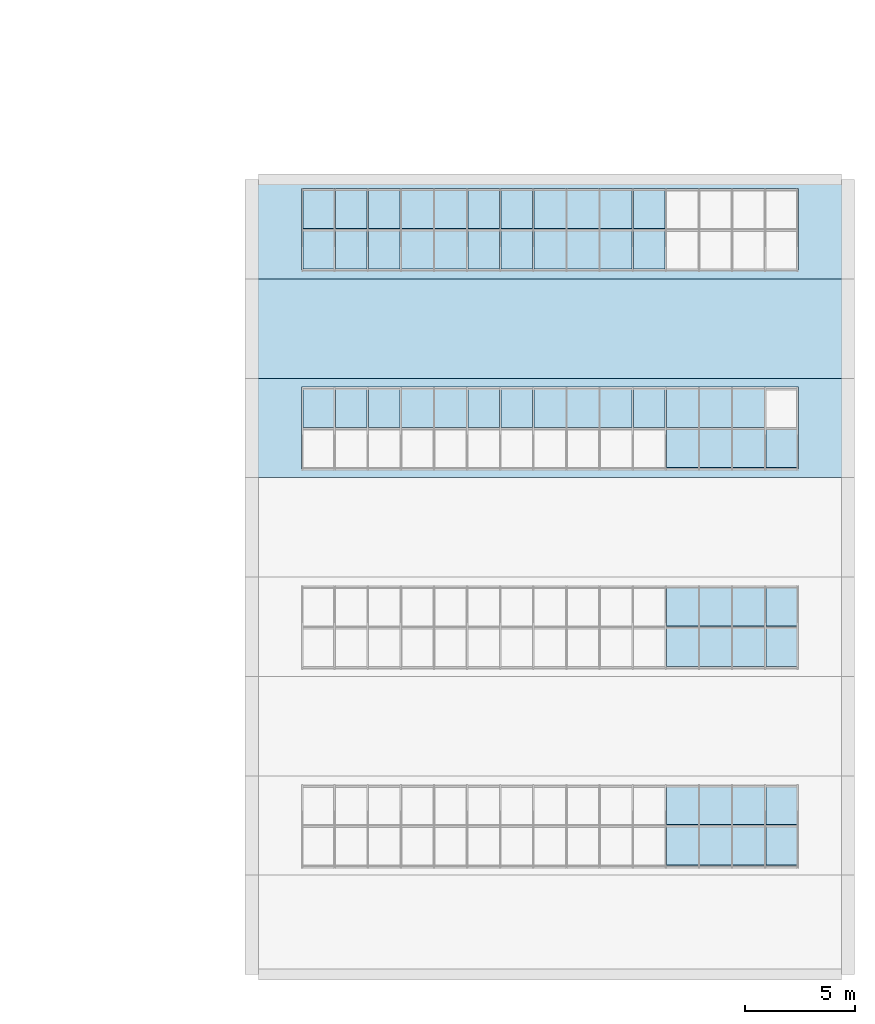
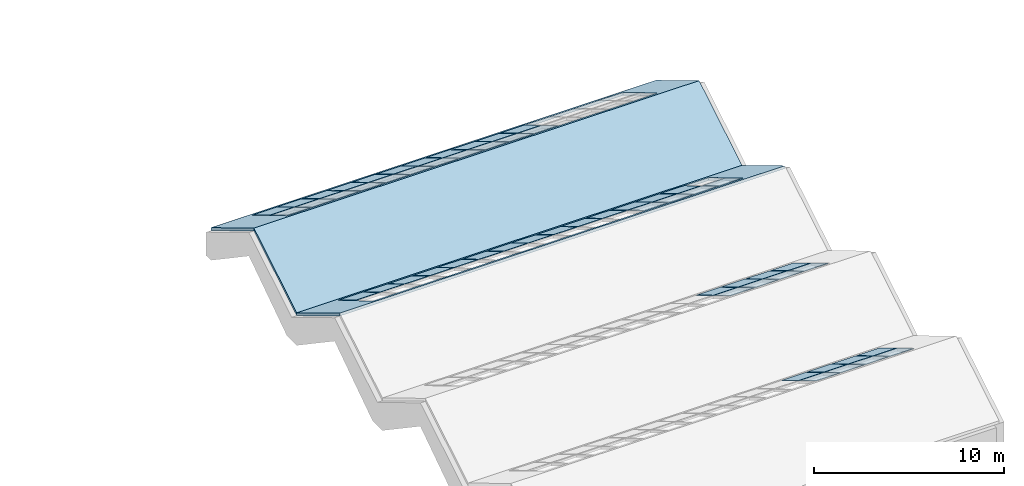
# One storey, part 13 of 29: 56 plates, 3 slabs, 4 elements without a shape of their own.
"""IFC4 building model written with IfcOpenShell, lengths in metres."""

from ifc_helpers import new_model, si_unit, direction, frame, origin, place, context, subcontext, project, spatial, polyline, outline, extrude, material, layer, layer_set, type_object, element, aggregate, save


model = new_model("IFC4")

# Units and contexts
model_context = context("Model", 3, precision=1e-05, world=origin(), true_north=direction((0.0, 1.0)))
body_context = subcontext(model_context, "Body", "Model", "MODEL_VIEW")
ifc_project = project(units=[si_unit("LENGTHUNIT", "METRE"), si_unit("AREAUNIT", "SQUARE_METRE"), si_unit("VOLUMEUNIT", "CUBIC_METRE"), si_unit("PLANEANGLEUNIT", "RADIAN"), si_unit("MASSUNIT", "GRAM", prefix="KILO")], contexts=[model_context])

# Site, building, storey
site_placement = place(None, origin())
site = spatial("IfcSite", under=ifc_project, at=site_placement, CompositionType="ELEMENT")
building_placement = place(site_placement, origin())
building = spatial("IfcBuilding", under=site, at=building_placement, Name="Merrow Basin Faculty of Sciences", CompositionType="ELEMENT")
storey_placement = place(building_placement, frame((0.0, 0.0, 22.5)))
storey = spatial("IfcBuildingStorey", under=building, at=storey_placement, Name="L05", CompositionType="ELEMENT", Elevation=22.5)

# Slabs
ifc_material_1 = material(Name="Concrete C50/60", Category="concrete")
ifc_layer_1 = layer(ifc_material_1, 0.159912109375)
ifc_layer_set_1 = layer_set([ifc_layer_1], Name="Folded plate 160 Concrete C50/60")
slab_type = type_object("IfcSlabType", Name="Folded plate 160 Concrete C50/60", PredefinedType="ROOF", material=ifc_layer_set_1)
slab_1_placement = place(storey_placement, frame((45.0, 22.5, 2.699951171875), z_axis=(0.0, 0.514488913912, 0.857497030584), x_axis=(1.0, 0.0, 0.0)))
element("IfcSlab", 1, at=slab_1_placement, inside=storey, type_object=slab_type, Name="Folded plate 6", PredefinedType="ROOF", context=body_context, shape_type="SweptSolid", body=[
    extrude(outline(polyline([(0.0, 0.0), (27.0, 0.0), (27.0, 5.247831583664741), (0.0, 5.247831583664741), (0.0, 0.0)]), holes=[polyline([(2.25, 0.466390178603584), (24.75, 0.466390178603584), (24.75, 4.781441405061157), (2.25, 4.781441405061157), (2.25, 0.466390178603584)])]), origin(), (0.0, 0.514488913912, -0.857497030584), 0.1865234375),
])
slab_2_placement = place(storey_placement, frame((45.0, 27.0, 0.0), z_axis=(0.0, -0.514488913912, 0.857497030584), x_axis=(1.0, 0.0, 0.0)))
element("IfcSlab", 2, at=slab_2_placement, inside=storey, type_object=slab_type, Name="Folded plate 7", PredefinedType="ROOF", context=body_context, shape_type="SweptSolid", body=[
    extrude(outline(polyline([(0.0, 0.0), (27.0, 0.0), (27.0, 5.247831583664741), (0.0, 5.247831583664741), (0.0, 0.0)])), origin(), (0.0, -0.514488913912, -0.857497030584), 0.1865234375),
])
slab_3_placement = place(storey_placement, frame((45.0, 31.5, 2.699951171875), z_axis=(0.0, 0.514488913912, 0.857497030584), x_axis=(1.0, 0.0, 0.0)))
element("IfcSlab", 3, at=slab_3_placement, inside=storey, type_object=slab_type, Name="Folded plate 8", PredefinedType="ROOF", context=body_context, shape_type="SweptSolid", body=[
    extrude(outline(polyline([(0.0, 0.0), (27.0, 0.0), (27.0, 5.247831583664741), (0.0, 5.247831583664741), (0.0, 0.0)]), holes=[polyline([(2.25, 0.466390178603584), (24.75, 0.466390178603584), (24.75, 4.781441405061157), (2.25, 4.781441405061157), (2.25, 0.466390178603584)])]), origin(), (0.0, 0.514488913912, -0.857497030584), 0.1865234375),
])

# Curtain wall, plates
ifc_material_2 = material(Name="Aluminium alloy 6063", Category="aluminium")
curtain_wall_type = type_object("IfcCurtainWallType", Name="Inclined curtain wall 160", PredefinedType="NOTDEFINED", material=ifc_material_2)
curtain_wall_1_placement = place(storey_placement, origin())
curtain_wall_1 = element("IfcCurtainWall", 4, at=curtain_wall_1_placement, inside=storey, type_object=curtain_wall_type, Name="North-light glazing 1", PredefinedType="NOTDEFINED")
ifc_material_3 = material(Name="Laminated safety glass", Category="glass")
ifc_layer_2 = layer(ifc_material_3, 0.033935546875)
ifc_layer_set_2 = layer_set([ifc_layer_2], Name="Laminated north-light panel 34")
plate_type = type_object("IfcPlateType", Name="Laminated north-light panel 34", PredefinedType="CURTAIN_PANEL", material=ifc_layer_set_2)
plate_1_placement = place(storey_placement, frame((63.780029296875, 4.9599609375, 2.444091796875), z_axis=(0.0, 0.514652011412, 0.857399152758), x_axis=(1.0, 0.0, 0.0)))
plate_1 = element("IfcPlate", 5, at=plate_1_placement, type_object=plate_type, Name="CW7 panel 12.1", PredefinedType="CURTAIN_PANEL", context=body_context, shape_type="SweptSolid", body=[
    extrude(outline(polyline([(0.0, 0.0), (1.43994140625, 0.0), (1.43994140625, 2.0678224524099513), (0.0, 2.0678224524099513), (0.0, 0.0)])), origin(), (0.0, 0.0, -1.0), 0.033935546875),
])
plate_2_placement = place(storey_placement, frame((63.780029296875, 6.783935546875, 1.34912109375), z_axis=(0.0, 0.514652011412, 0.857399152758), x_axis=(1.0, 0.0, 0.0)))
plate_2 = element("IfcPlate", 6, at=plate_2_placement, type_object=plate_type, Name="CW7 panel 12.2", PredefinedType="CURTAIN_PANEL", context=body_context, shape_type="SweptSolid", body=[
    extrude(outline(polyline([(0.0, 0.0), (1.43994140625, 0.0), (1.43994140625, 2.0678224524099513), (0.0, 2.0678224524099513), (0.0, 0.0)])), origin(), (0.0, 0.0, -1.0), 0.033935546875),
])
plate_3_placement = place(storey_placement, frame((65.280029296875, 4.9599609375, 2.444091796875), z_axis=(0.0, 0.514652011412, 0.857399152758), x_axis=(1.0, 0.0, 0.0)))
plate_3 = element("IfcPlate", 7, at=plate_3_placement, type_object=plate_type, Name="CW7 panel 13.1", PredefinedType="CURTAIN_PANEL", context=body_context, shape_type="SweptSolid", body=[
    extrude(outline(polyline([(0.0, 0.0), (1.43994140625, 0.0), (1.43994140625, 2.0678224524099513), (0.0, 2.0678224524099513), (0.0, 0.0)])), origin(), (0.0, 0.0, -1.0), 0.033935546875),
])
plate_4_placement = place(storey_placement, frame((65.280029296875, 6.783935546875, 1.34912109375), z_axis=(0.0, 0.514652011412, 0.857399152758), x_axis=(1.0, 0.0, 0.0)))
plate_4 = element("IfcPlate", 8, at=plate_4_placement, type_object=plate_type, Name="CW7 panel 13.2", PredefinedType="CURTAIN_PANEL", context=body_context, shape_type="SweptSolid", body=[
    extrude(outline(polyline([(0.0, 0.0), (1.43994140625, 0.0), (1.43994140625, 2.0678224524099513), (0.0, 2.0678224524099513), (0.0, 0.0)])), origin(), (0.0, 0.0, -1.0), 0.033935546875),
])
plate_5_placement = place(storey_placement, frame((66.780029296875, 4.9599609375, 2.444091796875), z_axis=(0.0, 0.514652011412, 0.857399152758), x_axis=(1.0, 0.0, 0.0)))
plate_5 = element("IfcPlate", 9, at=plate_5_placement, type_object=plate_type, Name="CW7 panel 14.1", PredefinedType="CURTAIN_PANEL", context=body_context, shape_type="SweptSolid", body=[
    extrude(outline(polyline([(0.0, 0.0), (1.43994140625, 0.0), (1.43994140625, 2.0678224524099513), (0.0, 2.0678224524099513), (0.0, 0.0)])), origin(), (0.0, 0.0, -1.0), 0.033935546875),
])
plate_6_placement = place(storey_placement, frame((66.780029296875, 6.783935546875, 1.34912109375), z_axis=(0.0, 0.514652011412, 0.857399152758), x_axis=(1.0, 0.0, 0.0)))
plate_6 = element("IfcPlate", 10, at=plate_6_placement, type_object=plate_type, Name="CW7 panel 14.2", PredefinedType="CURTAIN_PANEL", context=body_context, shape_type="SweptSolid", body=[
    extrude(outline(polyline([(0.0, 0.0), (1.43994140625, 0.0), (1.43994140625, 2.0678224524099513), (0.0, 2.0678224524099513), (0.0, 0.0)])), origin(), (0.0, 0.0, -1.0), 0.033935546875),
])
plate_7_placement = place(storey_placement, frame((68.280029296875, 4.9599609375, 2.444091796875), z_axis=(0.0, 0.514652011412, 0.857399152758), x_axis=(1.0, 0.0, 0.0)))
plate_7 = element("IfcPlate", 11, at=plate_7_placement, type_object=plate_type, Name="CW7 panel 15.1", PredefinedType="CURTAIN_PANEL", context=body_context, shape_type="SweptSolid", body=[
    extrude(outline(polyline([(0.0, 0.0), (1.409912109375, 0.0), (1.409912109375, 2.0678224524099513), (0.0, 2.0678224524099513), (0.0, 0.0)])), origin(), (0.0, 0.0, -1.0), 0.033935546875),
])
plate_8_placement = place(storey_placement, frame((68.280029296875, 6.783935546875, 1.34912109375), z_axis=(0.0, 0.514652011412, 0.857399152758), x_axis=(1.0, 0.0, 0.0)))
plate_8 = element("IfcPlate", 12, at=plate_8_placement, type_object=plate_type, Name="CW7 panel 15.2", PredefinedType="CURTAIN_PANEL", context=body_context, shape_type="SweptSolid", body=[
    extrude(outline(polyline([(0.0, 0.0), (1.409912109375, 0.0), (1.409912109375, 2.0678224524099513), (0.0, 2.0678224524099513), (0.0, 0.0)])), origin(), (0.0, 0.0, -1.0), 0.033935546875),
])
aggregate(curtain_wall_1, [plate_1, plate_2, plate_3, plate_4, plate_5, plate_6, plate_7, plate_8])

curtain_wall_2_placement = place(storey_placement, origin())
curtain_wall_2 = element("IfcCurtainWall", 13, at=curtain_wall_2_placement, inside=storey, type_object=curtain_wall_type, Name="North-light glazing 3", PredefinedType="NOTDEFINED")
plate_9_placement = place(storey_placement, frame((63.780029296875, 13.9599609375, 2.444091796875), z_axis=(0.0, 0.514652011412, 0.857399152758), x_axis=(1.0, 0.0, 0.0)))
plate_9 = element("IfcPlate", 14, at=plate_9_placement, type_object=plate_type, Name="CW7 panel 12.1", PredefinedType="CURTAIN_PANEL", context=body_context, shape_type="SweptSolid", body=[
    extrude(outline(polyline([(0.0, 0.0), (1.43994140625, 0.0), (1.43994140625, 2.0678224524099513), (0.0, 2.0678224524099513), (0.0, 0.0)])), origin(), (0.0, 0.0, -1.0), 0.033935546875),
])
plate_10_placement = place(storey_placement, frame((63.780029296875, 15.783935546875, 1.34912109375), z_axis=(0.0, 0.514652011412, 0.857399152758), x_axis=(1.0, 0.0, 0.0)))
plate_10 = element("IfcPlate", 15, at=plate_10_placement, type_object=plate_type, Name="CW7 panel 12.2", PredefinedType="CURTAIN_PANEL", context=body_context, shape_type="SweptSolid", body=[
    extrude(outline(polyline([(0.0, 0.0), (1.43994140625, 0.0), (1.43994140625, 2.0678224524099513), (0.0, 2.0678224524099513), (0.0, 0.0)])), origin(), (0.0, 0.0, -1.0), 0.033935546875),
])
plate_11_placement = place(storey_placement, frame((65.280029296875, 13.9599609375, 2.444091796875), z_axis=(0.0, 0.514652011412, 0.857399152758), x_axis=(1.0, 0.0, 0.0)))
plate_11 = element("IfcPlate", 16, at=plate_11_placement, type_object=plate_type, Name="CW7 panel 13.1", PredefinedType="CURTAIN_PANEL", context=body_context, shape_type="SweptSolid", body=[
    extrude(outline(polyline([(0.0, 0.0), (1.43994140625, 0.0), (1.43994140625, 2.0678224524099513), (0.0, 2.0678224524099513), (0.0, 0.0)])), origin(), (0.0, 0.0, -1.0), 0.033935546875),
])
plate_12_placement = place(storey_placement, frame((65.280029296875, 15.783935546875, 1.34912109375), z_axis=(0.0, 0.514652011412, 0.857399152758), x_axis=(1.0, 0.0, 0.0)))
plate_12 = element("IfcPlate", 17, at=plate_12_placement, type_object=plate_type, Name="CW7 panel 13.2", PredefinedType="CURTAIN_PANEL", context=body_context, shape_type="SweptSolid", body=[
    extrude(outline(polyline([(0.0, 0.0), (1.43994140625, 0.0), (1.43994140625, 2.0678224524099513), (0.0, 2.0678224524099513), (0.0, 0.0)])), origin(), (0.0, 0.0, -1.0), 0.033935546875),
])
plate_13_placement = place(storey_placement, frame((66.780029296875, 13.9599609375, 2.444091796875), z_axis=(0.0, 0.514652011412, 0.857399152758), x_axis=(1.0, 0.0, 0.0)))
plate_13 = element("IfcPlate", 18, at=plate_13_placement, type_object=plate_type, Name="CW7 panel 14.1", PredefinedType="CURTAIN_PANEL", context=body_context, shape_type="SweptSolid", body=[
    extrude(outline(polyline([(0.0, 0.0), (1.43994140625, 0.0), (1.43994140625, 2.0678224524099513), (0.0, 2.0678224524099513), (0.0, 0.0)])), origin(), (0.0, 0.0, -1.0), 0.033935546875),
])
plate_14_placement = place(storey_placement, frame((66.780029296875, 15.783935546875, 1.34912109375), z_axis=(0.0, 0.514652011412, 0.857399152758), x_axis=(1.0, 0.0, 0.0)))
plate_14 = element("IfcPlate", 19, at=plate_14_placement, type_object=plate_type, Name="CW7 panel 14.2", PredefinedType="CURTAIN_PANEL", context=body_context, shape_type="SweptSolid", body=[
    extrude(outline(polyline([(0.0, 0.0), (1.43994140625, 0.0), (1.43994140625, 2.0678224524099513), (0.0, 2.0678224524099513), (0.0, 0.0)])), origin(), (0.0, 0.0, -1.0), 0.033935546875),
])
plate_15_placement = place(storey_placement, frame((68.280029296875, 13.9599609375, 2.444091796875), z_axis=(0.0, 0.514652011412, 0.857399152758), x_axis=(1.0, 0.0, 0.0)))
plate_15 = element("IfcPlate", 20, at=plate_15_placement, type_object=plate_type, Name="CW7 panel 15.1", PredefinedType="CURTAIN_PANEL", context=body_context, shape_type="SweptSolid", body=[
    extrude(outline(polyline([(0.0, 0.0), (1.409912109375, 0.0), (1.409912109375, 2.0678224524099513), (0.0, 2.0678224524099513), (0.0, 0.0)])), origin(), (0.0, 0.0, -1.0), 0.033935546875),
])
plate_16_placement = place(storey_placement, frame((68.280029296875, 15.783935546875, 1.34912109375), z_axis=(0.0, 0.514652011412, 0.857399152758), x_axis=(1.0, 0.0, 0.0)))
plate_16 = element("IfcPlate", 21, at=plate_16_placement, type_object=plate_type, Name="CW7 panel 15.2", PredefinedType="CURTAIN_PANEL", context=body_context, shape_type="SweptSolid", body=[
    extrude(outline(polyline([(0.0, 0.0), (1.409912109375, 0.0), (1.409912109375, 2.0678224524099513), (0.0, 2.0678224524099513), (0.0, 0.0)])), origin(), (0.0, 0.0, -1.0), 0.033935546875),
])
aggregate(curtain_wall_2, [plate_9, plate_10, plate_11, plate_12, plate_13, plate_14, plate_15, plate_16])

curtain_wall_3_placement = place(storey_placement, origin())
curtain_wall_3 = element("IfcCurtainWall", 22, at=curtain_wall_3_placement, inside=storey, type_object=curtain_wall_type, Name="North-light glazing 5", PredefinedType="NOTDEFINED")
plate_17_placement = place(storey_placement, frame((47.31005859375, 24.783935546875, 1.34912109375), z_axis=(0.0, 0.514652011412, 0.857399152758), x_axis=(1.0, 0.0, 0.0)))
plate_17 = element("IfcPlate", 23, at=plate_17_placement, type_object=plate_type, Name="CW7 panel 1.2", PredefinedType="CURTAIN_PANEL", context=body_context, shape_type="SweptSolid", body=[
    extrude(outline(polyline([(0.0, 0.0), (1.409912109375, 0.0), (1.409912109375, 2.0678224524099513), (0.0, 2.0678224524099513), (0.0, 0.0)])), origin(), (0.0, 0.0, -1.0), 0.033935546875),
])
plate_18_placement = place(storey_placement, frame((48.780029296875, 24.783935546875, 1.34912109375), z_axis=(0.0, 0.514652011412, 0.857399152758), x_axis=(1.0, 0.0, 0.0)))
plate_18 = element("IfcPlate", 24, at=plate_18_placement, type_object=plate_type, Name="CW7 panel 2.2", PredefinedType="CURTAIN_PANEL", context=body_context, shape_type="SweptSolid", body=[
    extrude(outline(polyline([(0.0, 0.0), (1.43994140625, 0.0), (1.43994140625, 2.0678224524099513), (0.0, 2.0678224524099513), (0.0, 0.0)])), origin(), (0.0, 0.0, -1.0), 0.033935546875),
])
plate_19_placement = place(storey_placement, frame((50.280029296875, 24.783935546875, 1.34912109375), z_axis=(0.0, 0.514652011412, 0.857399152758), x_axis=(1.0, 0.0, 0.0)))
plate_19 = element("IfcPlate", 25, at=plate_19_placement, type_object=plate_type, Name="CW7 panel 3.2", PredefinedType="CURTAIN_PANEL", context=body_context, shape_type="SweptSolid", body=[
    extrude(outline(polyline([(0.0, 0.0), (1.43994140625, 0.0), (1.43994140625, 2.0678224524099513), (0.0, 2.0678224524099513), (0.0, 0.0)])), origin(), (0.0, 0.0, -1.0), 0.033935546875),
])
plate_20_placement = place(storey_placement, frame((51.780029296875, 24.783935546875, 1.34912109375), z_axis=(0.0, 0.514652011412, 0.857399152758), x_axis=(1.0, 0.0, 0.0)))
plate_20 = element("IfcPlate", 26, at=plate_20_placement, type_object=plate_type, Name="CW7 panel 4.2", PredefinedType="CURTAIN_PANEL", context=body_context, shape_type="SweptSolid", body=[
    extrude(outline(polyline([(0.0, 0.0), (1.43994140625, 0.0), (1.43994140625, 2.0678224524099513), (0.0, 2.0678224524099513), (0.0, 0.0)])), origin(), (0.0, 0.0, -1.0), 0.033935546875),
])
plate_21_placement = place(storey_placement, frame((53.280029296875, 24.783935546875, 1.34912109375), z_axis=(0.0, 0.514652011412, 0.857399152758), x_axis=(1.0, 0.0, 0.0)))
plate_21 = element("IfcPlate", 27, at=plate_21_placement, type_object=plate_type, Name="CW7 panel 5.2", PredefinedType="CURTAIN_PANEL", context=body_context, shape_type="SweptSolid", body=[
    extrude(outline(polyline([(0.0, 0.0), (1.43994140625, 0.0), (1.43994140625, 2.0678224524099513), (0.0, 2.0678224524099513), (0.0, 0.0)])), origin(), (0.0, 0.0, -1.0), 0.033935546875),
])
plate_22_placement = place(storey_placement, frame((54.780029296875, 24.783935546875, 1.34912109375), z_axis=(0.0, 0.514652011412, 0.857399152758), x_axis=(1.0, 0.0, 0.0)))
plate_22 = element("IfcPlate", 28, at=plate_22_placement, type_object=plate_type, Name="CW7 panel 6.2", PredefinedType="CURTAIN_PANEL", context=body_context, shape_type="SweptSolid", body=[
    extrude(outline(polyline([(0.0, 0.0), (1.43994140625, 0.0), (1.43994140625, 2.0678224524099513), (0.0, 2.0678224524099513), (0.0, 0.0)])), origin(), (0.0, 0.0, -1.0), 0.033935546875),
])
plate_23_placement = place(storey_placement, frame((56.280029296875, 24.783935546875, 1.34912109375), z_axis=(0.0, 0.514652011412, 0.857399152758), x_axis=(1.0, 0.0, 0.0)))
plate_23 = element("IfcPlate", 29, at=plate_23_placement, type_object=plate_type, Name="CW7 panel 7.2", PredefinedType="CURTAIN_PANEL", context=body_context, shape_type="SweptSolid", body=[
    extrude(outline(polyline([(0.0, 0.0), (1.43994140625, 0.0), (1.43994140625, 2.0678224524099513), (0.0, 2.0678224524099513), (0.0, 0.0)])), origin(), (0.0, 0.0, -1.0), 0.033935546875),
])
plate_24_placement = place(storey_placement, frame((57.780029296875, 24.783935546875, 1.34912109375), z_axis=(0.0, 0.514652011412, 0.857399152758), x_axis=(1.0, 0.0, 0.0)))
plate_24 = element("IfcPlate", 30, at=plate_24_placement, type_object=plate_type, Name="CW7 panel 8.2", PredefinedType="CURTAIN_PANEL", context=body_context, shape_type="SweptSolid", body=[
    extrude(outline(polyline([(0.0, 0.0), (1.43994140625, 0.0), (1.43994140625, 2.0678224524099513), (0.0, 2.0678224524099513), (0.0, 0.0)])), origin(), (0.0, 0.0, -1.0), 0.033935546875),
])
plate_25_placement = place(storey_placement, frame((59.280029296875, 24.783935546875, 1.34912109375), z_axis=(0.0, 0.514652011412, 0.857399152758), x_axis=(1.0, 0.0, 0.0)))
plate_25 = element("IfcPlate", 31, at=plate_25_placement, type_object=plate_type, Name="CW7 panel 9.2", PredefinedType="CURTAIN_PANEL", context=body_context, shape_type="SweptSolid", body=[
    extrude(outline(polyline([(0.0, 0.0), (1.43994140625, 0.0), (1.43994140625, 2.0678224524099513), (0.0, 2.0678224524099513), (0.0, 0.0)])), origin(), (0.0, 0.0, -1.0), 0.033935546875),
])
plate_26_placement = place(storey_placement, frame((60.780029296875, 24.783935546875, 1.34912109375), z_axis=(0.0, 0.514652011412, 0.857399152758), x_axis=(1.0, 0.0, 0.0)))
plate_26 = element("IfcPlate", 32, at=plate_26_placement, type_object=plate_type, Name="CW7 panel 10.2", PredefinedType="CURTAIN_PANEL", context=body_context, shape_type="SweptSolid", body=[
    extrude(outline(polyline([(0.0, 0.0), (1.43994140625, 0.0), (1.43994140625, 2.0678224524099513), (0.0, 2.0678224524099513), (0.0, 0.0)])), origin(), (0.0, 0.0, -1.0), 0.033935546875),
])
plate_27_placement = place(storey_placement, frame((62.280029296875, 24.783935546875, 1.34912109375), z_axis=(0.0, 0.514652011412, 0.857399152758), x_axis=(1.0, 0.0, 0.0)))
plate_27 = element("IfcPlate", 33, at=plate_27_placement, type_object=plate_type, Name="CW7 panel 11.2", PredefinedType="CURTAIN_PANEL", context=body_context, shape_type="SweptSolid", body=[
    extrude(outline(polyline([(0.0, 0.0), (1.43994140625, 0.0), (1.43994140625, 2.0678224524099513), (0.0, 2.0678224524099513), (0.0, 0.0)])), origin(), (0.0, 0.0, -1.0), 0.033935546875),
])
plate_28_placement = place(storey_placement, frame((63.780029296875, 22.9599609375, 2.444091796875), z_axis=(0.0, 0.514652011412, 0.857399152758), x_axis=(1.0, 0.0, 0.0)))
plate_28 = element("IfcPlate", 34, at=plate_28_placement, type_object=plate_type, Name="CW7 panel 12.1", PredefinedType="CURTAIN_PANEL", context=body_context, shape_type="SweptSolid", body=[
    extrude(outline(polyline([(0.0, 0.0), (1.43994140625, 0.0), (1.43994140625, 2.0678224524099513), (0.0, 2.0678224524099513), (0.0, 0.0)])), origin(), (0.0, 0.0, -1.0), 0.033935546875),
])
plate_29_placement = place(storey_placement, frame((63.780029296875, 24.783935546875, 1.34912109375), z_axis=(0.0, 0.514652011412, 0.857399152758), x_axis=(1.0, 0.0, 0.0)))
plate_29 = element("IfcPlate", 35, at=plate_29_placement, type_object=plate_type, Name="CW7 panel 12.2", PredefinedType="CURTAIN_PANEL", context=body_context, shape_type="SweptSolid", body=[
    extrude(outline(polyline([(0.0, 0.0), (1.43994140625, 0.0), (1.43994140625, 2.0678224524099513), (0.0, 2.0678224524099513), (0.0, 0.0)])), origin(), (0.0, 0.0, -1.0), 0.033935546875),
])
plate_30_placement = place(storey_placement, frame((65.280029296875, 22.9599609375, 2.444091796875), z_axis=(0.0, 0.514652011412, 0.857399152758), x_axis=(1.0, 0.0, 0.0)))
plate_30 = element("IfcPlate", 36, at=plate_30_placement, type_object=plate_type, Name="CW7 panel 13.1", PredefinedType="CURTAIN_PANEL", context=body_context, shape_type="SweptSolid", body=[
    extrude(outline(polyline([(0.0, 0.0), (1.43994140625, 0.0), (1.43994140625, 2.0678224524099513), (0.0, 2.0678224524099513), (0.0, 0.0)])), origin(), (0.0, 0.0, -1.0), 0.033935546875),
])
plate_31_placement = place(storey_placement, frame((65.280029296875, 24.783935546875, 1.34912109375), z_axis=(0.0, 0.514652011412, 0.857399152758), x_axis=(1.0, 0.0, 0.0)))
plate_31 = element("IfcPlate", 37, at=plate_31_placement, type_object=plate_type, Name="CW7 panel 13.2", PredefinedType="CURTAIN_PANEL", context=body_context, shape_type="SweptSolid", body=[
    extrude(outline(polyline([(0.0, 0.0), (1.43994140625, 0.0), (1.43994140625, 2.0678224524099513), (0.0, 2.0678224524099513), (0.0, 0.0)])), origin(), (0.0, 0.0, -1.0), 0.033935546875),
])
plate_32_placement = place(storey_placement, frame((66.780029296875, 22.9599609375, 2.444091796875), z_axis=(0.0, 0.514652011412, 0.857399152758), x_axis=(1.0, 0.0, 0.0)))
plate_32 = element("IfcPlate", 38, at=plate_32_placement, type_object=plate_type, Name="CW7 panel 14.1", PredefinedType="CURTAIN_PANEL", context=body_context, shape_type="SweptSolid", body=[
    extrude(outline(polyline([(0.0, 0.0), (1.43994140625, 0.0), (1.43994140625, 2.0678224524099513), (0.0, 2.0678224524099513), (0.0, 0.0)])), origin(), (0.0, 0.0, -1.0), 0.033935546875),
])
plate_33_placement = place(storey_placement, frame((66.780029296875, 24.783935546875, 1.34912109375), z_axis=(0.0, 0.514652011412, 0.857399152758), x_axis=(1.0, 0.0, 0.0)))
plate_33 = element("IfcPlate", 39, at=plate_33_placement, type_object=plate_type, Name="CW7 panel 14.2", PredefinedType="CURTAIN_PANEL", context=body_context, shape_type="SweptSolid", body=[
    extrude(outline(polyline([(0.0, 0.0), (1.43994140625, 0.0), (1.43994140625, 2.0678224524099513), (0.0, 2.0678224524099513), (0.0, 0.0)])), origin(), (0.0, 0.0, -1.0), 0.033935546875),
])
plate_34_placement = place(storey_placement, frame((68.280029296875, 22.9599609375, 2.444091796875), z_axis=(0.0, 0.514652011412, 0.857399152758), x_axis=(1.0, 0.0, 0.0)))
plate_34 = element("IfcPlate", 40, at=plate_34_placement, type_object=plate_type, Name="CW7 panel 15.1", PredefinedType="CURTAIN_PANEL", context=body_context, shape_type="SweptSolid", body=[
    extrude(outline(polyline([(0.0, 0.0), (1.409912109375, 0.0), (1.409912109375, 2.0678224524099513), (0.0, 2.0678224524099513), (0.0, 0.0)])), origin(), (0.0, 0.0, -1.0), 0.033935546875),
])
aggregate(curtain_wall_3, [plate_17, plate_18, plate_19, plate_20, plate_21, plate_22, plate_23, plate_24, plate_25, plate_26, plate_27, plate_28, plate_29, plate_30, plate_31, plate_32, plate_33, plate_34])

curtain_wall_4_placement = place(storey_placement, origin())
curtain_wall_4 = element("IfcCurtainWall", 41, at=curtain_wall_4_placement, inside=storey, type_object=curtain_wall_type, Name="North-light glazing 7", PredefinedType="NOTDEFINED")
plate_35_placement = place(storey_placement, frame((47.31005859375, 31.9599609375, 2.444091796875), z_axis=(0.0, 0.514652011412, 0.857399152758), x_axis=(1.0, 0.0, 0.0)))
plate_35 = element("IfcPlate", 42, at=plate_35_placement, type_object=plate_type, Name="CW7 panel 1.1", PredefinedType="CURTAIN_PANEL", context=body_context, shape_type="SweptSolid", body=[
    extrude(outline(polyline([(0.0, 0.0), (1.409912109375, 0.0), (1.409912109375, 2.0678224524099513), (0.0, 2.0678224524099513), (0.0, 0.0)])), origin(), (0.0, 0.0, -1.0), 0.033935546875),
])
plate_36_placement = place(storey_placement, frame((47.31005859375, 33.783935546875, 1.34912109375), z_axis=(0.0, 0.514652011412, 0.857399152758), x_axis=(1.0, 0.0, 0.0)))
plate_36 = element("IfcPlate", 43, at=plate_36_placement, type_object=plate_type, Name="CW7 panel 1.2", PredefinedType="CURTAIN_PANEL", context=body_context, shape_type="SweptSolid", body=[
    extrude(outline(polyline([(0.0, 0.0), (1.409912109375, 0.0), (1.409912109375, 2.0678224524099513), (0.0, 2.0678224524099513), (0.0, 0.0)])), origin(), (0.0, 0.0, -1.0), 0.033935546875),
])
plate_37_placement = place(storey_placement, frame((48.780029296875, 31.9599609375, 2.444091796875), z_axis=(0.0, 0.514652011412, 0.857399152758), x_axis=(1.0, 0.0, 0.0)))
plate_37 = element("IfcPlate", 44, at=plate_37_placement, type_object=plate_type, Name="CW7 panel 2.1", PredefinedType="CURTAIN_PANEL", context=body_context, shape_type="SweptSolid", body=[
    extrude(outline(polyline([(0.0, 0.0), (1.43994140625, 0.0), (1.43994140625, 2.0678224524099513), (0.0, 2.0678224524099513), (0.0, 0.0)])), origin(), (0.0, 0.0, -1.0), 0.033935546875),
])
plate_38_placement = place(storey_placement, frame((48.780029296875, 33.783935546875, 1.34912109375), z_axis=(0.0, 0.514652011412, 0.857399152758), x_axis=(1.0, 0.0, 0.0)))
plate_38 = element("IfcPlate", 45, at=plate_38_placement, type_object=plate_type, Name="CW7 panel 2.2", PredefinedType="CURTAIN_PANEL", context=body_context, shape_type="SweptSolid", body=[
    extrude(outline(polyline([(0.0, 0.0), (1.43994140625, 0.0), (1.43994140625, 2.0678224524099513), (0.0, 2.0678224524099513), (0.0, 0.0)])), origin(), (0.0, 0.0, -1.0), 0.033935546875),
])
plate_39_placement = place(storey_placement, frame((50.280029296875, 31.9599609375, 2.444091796875), z_axis=(0.0, 0.514652011412, 0.857399152758), x_axis=(1.0, 0.0, 0.0)))
plate_39 = element("IfcPlate", 46, at=plate_39_placement, type_object=plate_type, Name="CW7 panel 3.1", PredefinedType="CURTAIN_PANEL", context=body_context, shape_type="SweptSolid", body=[
    extrude(outline(polyline([(0.0, 0.0), (1.43994140625, 0.0), (1.43994140625, 2.0678224524099513), (0.0, 2.0678224524099513), (0.0, 0.0)])), origin(), (0.0, 0.0, -1.0), 0.033935546875),
])
plate_40_placement = place(storey_placement, frame((50.280029296875, 33.783935546875, 1.34912109375), z_axis=(0.0, 0.514652011412, 0.857399152758), x_axis=(1.0, 0.0, 0.0)))
plate_40 = element("IfcPlate", 47, at=plate_40_placement, type_object=plate_type, Name="CW7 panel 3.2", PredefinedType="CURTAIN_PANEL", context=body_context, shape_type="SweptSolid", body=[
    extrude(outline(polyline([(0.0, 0.0), (1.43994140625, 0.0), (1.43994140625, 2.0678224524099513), (0.0, 2.0678224524099513), (0.0, 0.0)])), origin(), (0.0, 0.0, -1.0), 0.033935546875),
])
plate_41_placement = place(storey_placement, frame((51.780029296875, 31.9599609375, 2.444091796875), z_axis=(0.0, 0.514652011412, 0.857399152758), x_axis=(1.0, 0.0, 0.0)))
plate_41 = element("IfcPlate", 48, at=plate_41_placement, type_object=plate_type, Name="CW7 panel 4.1", PredefinedType="CURTAIN_PANEL", context=body_context, shape_type="SweptSolid", body=[
    extrude(outline(polyline([(0.0, 0.0), (1.43994140625, 0.0), (1.43994140625, 2.0678224524099513), (0.0, 2.0678224524099513), (0.0, 0.0)])), origin(), (0.0, 0.0, -1.0), 0.033935546875),
])
plate_42_placement = place(storey_placement, frame((51.780029296875, 33.783935546875, 1.34912109375), z_axis=(0.0, 0.514652011412, 0.857399152758), x_axis=(1.0, 0.0, 0.0)))
plate_42 = element("IfcPlate", 49, at=plate_42_placement, type_object=plate_type, Name="CW7 panel 4.2", PredefinedType="CURTAIN_PANEL", context=body_context, shape_type="SweptSolid", body=[
    extrude(outline(polyline([(0.0, 0.0), (1.43994140625, 0.0), (1.43994140625, 2.0678224524099513), (0.0, 2.0678224524099513), (0.0, 0.0)])), origin(), (0.0, 0.0, -1.0), 0.033935546875),
])
plate_43_placement = place(storey_placement, frame((53.280029296875, 31.9599609375, 2.444091796875), z_axis=(0.0, 0.514652011412, 0.857399152758), x_axis=(1.0, 0.0, 0.0)))
plate_43 = element("IfcPlate", 50, at=plate_43_placement, type_object=plate_type, Name="CW7 panel 5.1", PredefinedType="CURTAIN_PANEL", context=body_context, shape_type="SweptSolid", body=[
    extrude(outline(polyline([(0.0, 0.0), (1.43994140625, 0.0), (1.43994140625, 2.0678224524099513), (0.0, 2.0678224524099513), (0.0, 0.0)])), origin(), (0.0, 0.0, -1.0), 0.033935546875),
])
plate_44_placement = place(storey_placement, frame((53.280029296875, 33.783935546875, 1.34912109375), z_axis=(0.0, 0.514652011412, 0.857399152758), x_axis=(1.0, 0.0, 0.0)))
plate_44 = element("IfcPlate", 51, at=plate_44_placement, type_object=plate_type, Name="CW7 panel 5.2", PredefinedType="CURTAIN_PANEL", context=body_context, shape_type="SweptSolid", body=[
    extrude(outline(polyline([(0.0, 0.0), (1.43994140625, 0.0), (1.43994140625, 2.0678224524099513), (0.0, 2.0678224524099513), (0.0, 0.0)])), origin(), (0.0, 0.0, -1.0), 0.033935546875),
])
plate_45_placement = place(storey_placement, frame((54.780029296875, 31.9599609375, 2.444091796875), z_axis=(0.0, 0.514652011412, 0.857399152758), x_axis=(1.0, 0.0, 0.0)))
plate_45 = element("IfcPlate", 52, at=plate_45_placement, type_object=plate_type, Name="CW7 panel 6.1", PredefinedType="CURTAIN_PANEL", context=body_context, shape_type="SweptSolid", body=[
    extrude(outline(polyline([(0.0, 0.0), (1.43994140625, 0.0), (1.43994140625, 2.0678224524099513), (0.0, 2.0678224524099513), (0.0, 0.0)])), origin(), (0.0, 0.0, -1.0), 0.033935546875),
])
plate_46_placement = place(storey_placement, frame((54.780029296875, 33.783935546875, 1.34912109375), z_axis=(0.0, 0.514652011412, 0.857399152758), x_axis=(1.0, 0.0, 0.0)))
plate_46 = element("IfcPlate", 53, at=plate_46_placement, type_object=plate_type, Name="CW7 panel 6.2", PredefinedType="CURTAIN_PANEL", context=body_context, shape_type="SweptSolid", body=[
    extrude(outline(polyline([(0.0, 0.0), (1.43994140625, 0.0), (1.43994140625, 2.0678224524099513), (0.0, 2.0678224524099513), (0.0, 0.0)])), origin(), (0.0, 0.0, -1.0), 0.033935546875),
])
plate_47_placement = place(storey_placement, frame((56.280029296875, 31.9599609375, 2.444091796875), z_axis=(0.0, 0.514652011412, 0.857399152758), x_axis=(1.0, 0.0, 0.0)))
plate_47 = element("IfcPlate", 54, at=plate_47_placement, type_object=plate_type, Name="CW7 panel 7.1", PredefinedType="CURTAIN_PANEL", context=body_context, shape_type="SweptSolid", body=[
    extrude(outline(polyline([(0.0, 0.0), (1.43994140625, 0.0), (1.43994140625, 2.0678224524099513), (0.0, 2.0678224524099513), (0.0, 0.0)])), origin(), (0.0, 0.0, -1.0), 0.033935546875),
])
plate_48_placement = place(storey_placement, frame((56.280029296875, 33.783935546875, 1.34912109375), z_axis=(0.0, 0.514652011412, 0.857399152758), x_axis=(1.0, 0.0, 0.0)))
plate_48 = element("IfcPlate", 55, at=plate_48_placement, type_object=plate_type, Name="CW7 panel 7.2", PredefinedType="CURTAIN_PANEL", context=body_context, shape_type="SweptSolid", body=[
    extrude(outline(polyline([(0.0, 0.0), (1.43994140625, 0.0), (1.43994140625, 2.0678224524099513), (0.0, 2.0678224524099513), (0.0, 0.0)])), origin(), (0.0, 0.0, -1.0), 0.033935546875),
])
plate_49_placement = place(storey_placement, frame((57.780029296875, 31.9599609375, 2.444091796875), z_axis=(0.0, 0.514652011412, 0.857399152758), x_axis=(1.0, 0.0, 0.0)))
plate_49 = element("IfcPlate", 56, at=plate_49_placement, type_object=plate_type, Name="CW7 panel 8.1", PredefinedType="CURTAIN_PANEL", context=body_context, shape_type="SweptSolid", body=[
    extrude(outline(polyline([(0.0, 0.0), (1.43994140625, 0.0), (1.43994140625, 2.0678224524099513), (0.0, 2.0678224524099513), (0.0, 0.0)])), origin(), (0.0, 0.0, -1.0), 0.033935546875),
])
plate_50_placement = place(storey_placement, frame((57.780029296875, 33.783935546875, 1.34912109375), z_axis=(0.0, 0.514652011412, 0.857399152758), x_axis=(1.0, 0.0, 0.0)))
plate_50 = element("IfcPlate", 57, at=plate_50_placement, type_object=plate_type, Name="CW7 panel 8.2", PredefinedType="CURTAIN_PANEL", context=body_context, shape_type="SweptSolid", body=[
    extrude(outline(polyline([(0.0, 0.0), (1.43994140625, 0.0), (1.43994140625, 2.0678224524099513), (0.0, 2.0678224524099513), (0.0, 0.0)])), origin(), (0.0, 0.0, -1.0), 0.033935546875),
])
plate_51_placement = place(storey_placement, frame((59.280029296875, 31.9599609375, 2.444091796875), z_axis=(0.0, 0.514652011412, 0.857399152758), x_axis=(1.0, 0.0, 0.0)))
plate_51 = element("IfcPlate", 58, at=plate_51_placement, type_object=plate_type, Name="CW7 panel 9.1", PredefinedType="CURTAIN_PANEL", context=body_context, shape_type="SweptSolid", body=[
    extrude(outline(polyline([(0.0, 0.0), (1.43994140625, 0.0), (1.43994140625, 2.0678224524099513), (0.0, 2.0678224524099513), (0.0, 0.0)])), origin(), (0.0, 0.0, -1.0), 0.033935546875),
])
plate_52_placement = place(storey_placement, frame((59.280029296875, 33.783935546875, 1.34912109375), z_axis=(0.0, 0.514652011412, 0.857399152758), x_axis=(1.0, 0.0, 0.0)))
plate_52 = element("IfcPlate", 59, at=plate_52_placement, type_object=plate_type, Name="CW7 panel 9.2", PredefinedType="CURTAIN_PANEL", context=body_context, shape_type="SweptSolid", body=[
    extrude(outline(polyline([(0.0, 0.0), (1.43994140625, 0.0), (1.43994140625, 2.0678224524099513), (0.0, 2.0678224524099513), (0.0, 0.0)])), origin(), (0.0, 0.0, -1.0), 0.033935546875),
])
plate_53_placement = place(storey_placement, frame((60.780029296875, 31.9599609375, 2.444091796875), z_axis=(0.0, 0.514652011412, 0.857399152758), x_axis=(1.0, 0.0, 0.0)))
plate_53 = element("IfcPlate", 60, at=plate_53_placement, type_object=plate_type, Name="CW7 panel 10.1", PredefinedType="CURTAIN_PANEL", context=body_context, shape_type="SweptSolid", body=[
    extrude(outline(polyline([(0.0, 0.0), (1.43994140625, 0.0), (1.43994140625, 2.0678224524099513), (0.0, 2.0678224524099513), (0.0, 0.0)])), origin(), (0.0, 0.0, -1.0), 0.033935546875),
])
plate_54_placement = place(storey_placement, frame((60.780029296875, 33.783935546875, 1.34912109375), z_axis=(0.0, 0.514652011412, 0.857399152758), x_axis=(1.0, 0.0, 0.0)))
plate_54 = element("IfcPlate", 61, at=plate_54_placement, type_object=plate_type, Name="CW7 panel 10.2", PredefinedType="CURTAIN_PANEL", context=body_context, shape_type="SweptSolid", body=[
    extrude(outline(polyline([(0.0, 0.0), (1.43994140625, 0.0), (1.43994140625, 2.0678224524099513), (0.0, 2.0678224524099513), (0.0, 0.0)])), origin(), (0.0, 0.0, -1.0), 0.033935546875),
])
plate_55_placement = place(storey_placement, frame((62.280029296875, 31.9599609375, 2.444091796875), z_axis=(0.0, 0.514652011412, 0.857399152758), x_axis=(1.0, 0.0, 0.0)))
plate_55 = element("IfcPlate", 62, at=plate_55_placement, type_object=plate_type, Name="CW7 panel 11.1", PredefinedType="CURTAIN_PANEL", context=body_context, shape_type="SweptSolid", body=[
    extrude(outline(polyline([(0.0, 0.0), (1.43994140625, 0.0), (1.43994140625, 2.0678224524099513), (0.0, 2.0678224524099513), (0.0, 0.0)])), origin(), (0.0, 0.0, -1.0), 0.033935546875),
])
plate_56_placement = place(storey_placement, frame((62.280029296875, 33.783935546875, 1.34912109375), z_axis=(0.0, 0.514652011412, 0.857399152758), x_axis=(1.0, 0.0, 0.0)))
plate_56 = element("IfcPlate", 63, at=plate_56_placement, type_object=plate_type, Name="CW7 panel 11.2", PredefinedType="CURTAIN_PANEL", context=body_context, shape_type="SweptSolid", body=[
    extrude(outline(polyline([(0.0, 0.0), (1.43994140625, 0.0), (1.43994140625, 2.0678224524099513), (0.0, 2.0678224524099513), (0.0, 0.0)])), origin(), (0.0, 0.0, -1.0), 0.033935546875),
])
aggregate(curtain_wall_4, [plate_35, plate_36, plate_37, plate_38, plate_39, plate_40, plate_41, plate_42, plate_43, plate_44, plate_45, plate_46, plate_47, plate_48, plate_49, plate_50, plate_51, plate_52, plate_53, plate_54, plate_55, plate_56])

save(model, "model.ifc")
